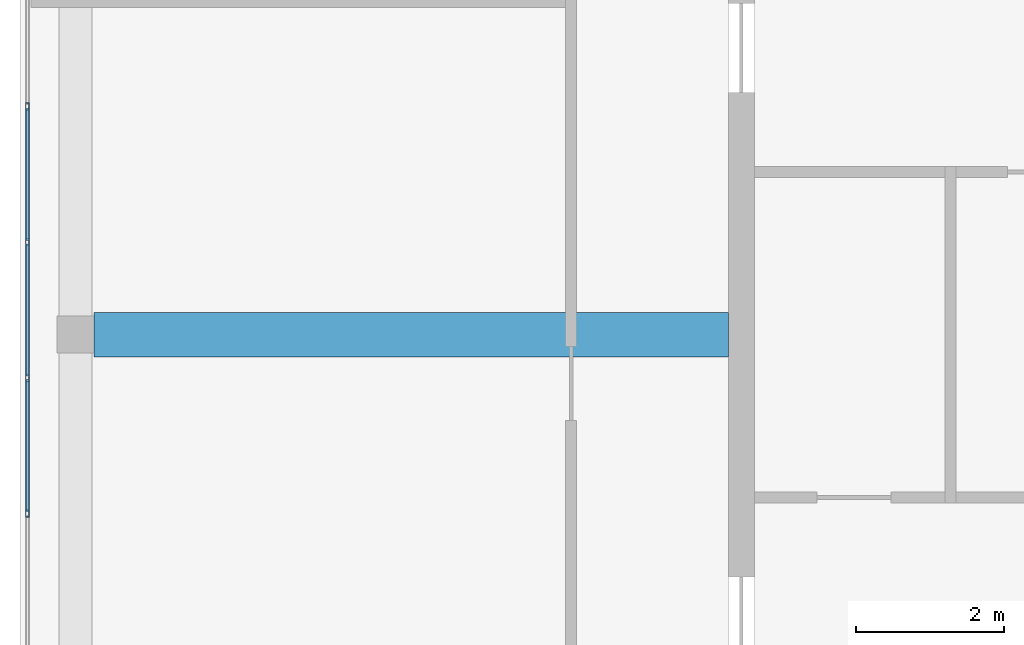
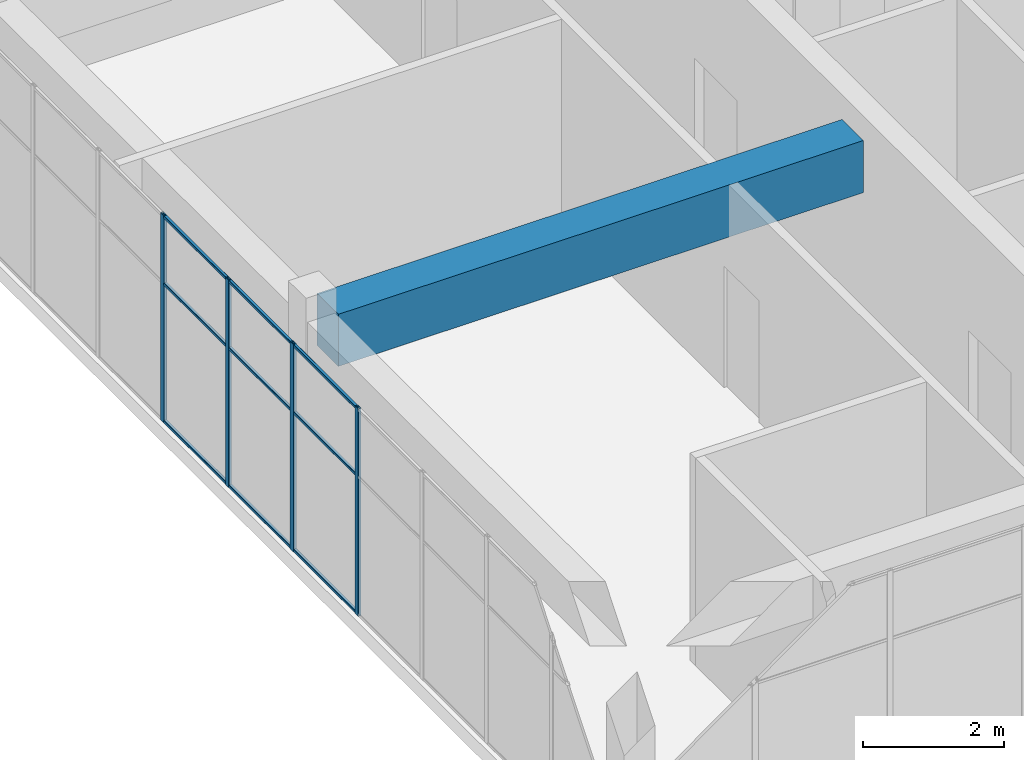
# One storey, part 11 of 36: 13 members, 1 beam, 1 element without a shape of its own.
"""IFC4 building model written with IfcOpenShell, lengths in metres."""

from ifc_helpers import new_model, si_unit, direction, frame, origin, origin_2d, place, context, subcontext, project, spatial, rectangle, hollow_rectangle, extrude, material, layer, layer_set, material_profile, profile_set, type_object, element, aggregate, save


model = new_model("IFC4")

# Units and contexts
model_context = context("Model", 3, precision=1e-05, world=origin(), true_north=direction((0.0, 1.0)))
body_context = subcontext(model_context, "Body", "Model", "MODEL_VIEW")
ifc_project = project(units=[si_unit("LENGTHUNIT", "METRE"), si_unit("AREAUNIT", "SQUARE_METRE"), si_unit("VOLUMEUNIT", "CUBIC_METRE"), si_unit("PLANEANGLEUNIT", "RADIAN"), si_unit("MASSUNIT", "GRAM", prefix="KILO")], contexts=[model_context])

# Site, building, storey
site_placement = place(None, origin())
site = spatial("IfcSite", under=ifc_project, at=site_placement, CompositionType="ELEMENT")
building_placement = place(site_placement, origin())
building = spatial("IfcBuilding", under=site, at=building_placement, Name="Tuart Plaza Theatre", CompositionType="ELEMENT")
storey_placement = place(building_placement, frame((0.0, 0.0, 61.5)))
storey = spatial("IfcBuildingStorey", under=building, at=storey_placement, Name="L15", CompositionType="ELEMENT", Elevation=61.5)

# Beam
ifc_material_1 = material(Name="Concrete N40 (40 MPa)", Category="concrete")
ifc_material_profile_1 = material_profile(ifc_material_1, rectangle(XDim=0.60009765625, YDim=0.89990234375, at=origin_2d()), Name="BEAM 600x900 Concrete N40 (40 MPa)")
ifc_profile_set_1 = profile_set([ifc_material_profile_1], Name="Concrete N40 (40 MPa)")
beam_type = type_object("IfcBeamType", Name="BEAM 600x900 Concrete N40 (40 MPa)", PredefinedType="BEAM", material=ifc_profile_set_1)
beam_placement = place(storey_placement, frame((114.25, 74.0, 3.1298828125), z_axis=(1.0, 0.0, 0.0), x_axis=(0.0, 1.0, 0.0)))
element("IfcBeam", 1, at=beam_placement, inside=storey, type_object=beam_type, Name="RB321", PredefinedType="BEAM", context=body_context, shape_type="SweptSolid", body=[
    extrude(rectangle(XDim=0.60009765625, YDim=0.89990234375, at=origin_2d()), origin(), (0.0, 0.0, 1.0), 8.574951171875),
])

# Curtain wall, members
ifc_material_2 = material(Name="Aluminium and glass", Category="aluminium")
ifc_layer = layer(ifc_material_2, 0.10009765625)
ifc_layer_set = layer_set([ifc_layer], Name="CURTAIN WALL 1800 module")
curtain_wall_type = type_object("IfcCurtainWallType", Name="CURTAIN WALL 1800 module", PredefinedType="NOTDEFINED", material=ifc_layer_set)
curtain_wall_placement = place(storey_placement, origin())
curtain_wall = element("IfcCurtainWall", 2, at=curtain_wall_placement, inside=storey, type_object=curtain_wall_type, Name="CW118", PredefinedType="NOTDEFINED")
ifc_material_3 = material(Name="Aluminium 6063-T5", Category="aluminium")
ifc_material_profile_2 = material_profile(ifc_material_3, hollow_rectangle(XDim=0.050048828125, YDim=0.10009765625, WallThickness=0.00390625, InnerFilletRadius=0.00390625, OuterFilletRadius=0.008056640625, at=origin_2d()), Name="RHS 100x50x4")
ifc_profile_set_2 = profile_set([ifc_material_profile_2], Name="Aluminium 6063-T5")
member_type_1 = type_object("IfcMemberType", Name="MULLION RHS 100x50x4", PredefinedType="MULLION", material=ifc_profile_set_2)
member_1_placement = place(storey_placement, frame((113.35009765625, 77.083251953125, 0.0), z_axis=(0.0, 0.0, 1.0), x_axis=(1.0, 0.0, 0.0)))
member_1 = element("IfcMember", 3, at=member_1_placement, type_object=member_type_1, Name="CW118 mullion 12", PredefinedType="MULLION", context=body_context, shape_type="SweptSolid", body=[
    extrude(hollow_rectangle(XDim=0.050048828125, YDim=0.10009765625, WallThickness=0.00390625, InnerFilletRadius=0.00390625, OuterFilletRadius=0.008056640625, at=origin_2d()), origin(), (0.0, 0.0, 1.0), 3.580078125),
])
member_2_placement = place(storey_placement, frame((113.35009765625, 75.25, 0.0), z_axis=(0.0, 0.0, 1.0), x_axis=(1.0, 0.0, 0.0)))
member_2 = element("IfcMember", 4, at=member_2_placement, type_object=member_type_1, Name="CW118 mullion 13", PredefinedType="MULLION", context=body_context, shape_type="SweptSolid", body=[
    extrude(hollow_rectangle(XDim=0.050048828125, YDim=0.10009765625, WallThickness=0.00390625, InnerFilletRadius=0.00390625, OuterFilletRadius=0.008056640625, at=origin_2d()), origin(), (0.0, 0.0, 1.0), 3.580078125),
])
member_3_placement = place(storey_placement, frame((113.35009765625, 73.416748046875, 0.0), z_axis=(0.0, 0.0, 1.0), x_axis=(1.0, 0.0, 0.0)))
member_3 = element("IfcMember", 5, at=member_3_placement, type_object=member_type_1, Name="CW118 mullion 14", PredefinedType="MULLION", context=body_context, shape_type="SweptSolid", body=[
    extrude(hollow_rectangle(XDim=0.050048828125, YDim=0.10009765625, WallThickness=0.00390625, InnerFilletRadius=0.00390625, OuterFilletRadius=0.008056640625, at=origin_2d()), origin(), (0.0, 0.0, 1.0), 3.580078125),
])
member_4_placement = place(storey_placement, frame((113.35009765625, 71.583251953125, 0.0), z_axis=(0.0, 0.0, 1.0), x_axis=(1.0, 0.0, 0.0)))
member_4 = element("IfcMember", 6, at=member_4_placement, type_object=member_type_1, Name="CW118 mullion 15", PredefinedType="MULLION", context=body_context, shape_type="SweptSolid", body=[
    extrude(hollow_rectangle(XDim=0.050048828125, YDim=0.10009765625, WallThickness=0.00390625, InnerFilletRadius=0.00390625, OuterFilletRadius=0.008056640625, at=origin_2d()), origin(), (0.0, 0.0, 1.0), 3.580078125),
])
ifc_material_4 = material(Name="Aluminium 6063-T5", Category="aluminium")
ifc_material_profile_3 = material_profile(ifc_material_4, hollow_rectangle(XDim=0.050048828125, YDim=0.050048828125, WallThickness=0.00390625, InnerFilletRadius=0.00390625, OuterFilletRadius=0.008056640625, at=origin_2d()), Name="RHS 50x50x4")
ifc_profile_set_3 = profile_set([ifc_material_profile_3], Name="Aluminium 6063-T5")
member_type_2 = type_object("IfcMemberType", Name="TRANSOM RHS 50x50x4", PredefinedType="USERDEFINED", material=ifc_profile_set_3)
member_5_placement = place(storey_placement, frame((113.35009765625, 77.058349609375, 0.02490234375), z_axis=(0.0, -1.0, 0.0), x_axis=(1.0, 0.0, 0.0)))
member_5 = element("IfcMember", 7, at=member_5_placement, type_object=member_type_2, Name="CW118 transom 12.1", ObjectType="TRANSOM", PredefinedType="USERDEFINED", context=body_context, shape_type="SweptSolid", body=[
    extrude(hollow_rectangle(XDim=0.050048828125, YDim=0.050048828125, WallThickness=0.00390625, InnerFilletRadius=0.00390625, OuterFilletRadius=0.008056640625, at=origin_2d()), origin(), (0.0, 0.0, 1.0), 1.783447265625),
])
member_6_placement = place(storey_placement, frame((113.35009765625, 77.058349609375, 2.39990234375), z_axis=(0.0, -1.0, 0.0), x_axis=(1.0, 0.0, 0.0)))
member_6 = element("IfcMember", 8, at=member_6_placement, type_object=member_type_2, Name="CW118 transom 12.2", ObjectType="TRANSOM", PredefinedType="USERDEFINED", context=body_context, shape_type="SweptSolid", body=[
    extrude(hollow_rectangle(XDim=0.050048828125, YDim=0.050048828125, WallThickness=0.00390625, InnerFilletRadius=0.00390625, OuterFilletRadius=0.008056640625, at=origin_2d()), origin(), (0.0, 0.0, 1.0), 1.783447265625),
])
member_7_placement = place(storey_placement, frame((113.35009765625, 77.058349609375, 3.554931640625), z_axis=(0.0, -1.0, 0.0), x_axis=(1.0, 0.0, 0.0)))
member_7 = element("IfcMember", 9, at=member_7_placement, type_object=member_type_2, Name="CW118 transom 12.3", ObjectType="TRANSOM", PredefinedType="USERDEFINED", context=body_context, shape_type="SweptSolid", body=[
    extrude(hollow_rectangle(XDim=0.050048828125, YDim=0.050048828125, WallThickness=0.00390625, InnerFilletRadius=0.00390625, OuterFilletRadius=0.008056640625, at=origin_2d()), origin(), (0.0, 0.0, 1.0), 1.783447265625),
])
member_8_placement = place(storey_placement, frame((113.35009765625, 75.22509765625, 0.02490234375), z_axis=(0.0, -1.0, 0.0), x_axis=(1.0, 0.0, 0.0)))
member_8 = element("IfcMember", 10, at=member_8_placement, type_object=member_type_2, Name="CW118 transom 13.1", ObjectType="TRANSOM", PredefinedType="USERDEFINED", context=body_context, shape_type="SweptSolid", body=[
    extrude(hollow_rectangle(XDim=0.050048828125, YDim=0.050048828125, WallThickness=0.00390625, InnerFilletRadius=0.00390625, OuterFilletRadius=0.008056640625, at=origin_2d()), origin(), (0.0, 0.0, 1.0), 1.783447265625),
])
member_9_placement = place(storey_placement, frame((113.35009765625, 75.22509765625, 2.39990234375), z_axis=(0.0, -1.0, 0.0), x_axis=(1.0, 0.0, 0.0)))
member_9 = element("IfcMember", 11, at=member_9_placement, type_object=member_type_2, Name="CW118 transom 13.2", ObjectType="TRANSOM", PredefinedType="USERDEFINED", context=body_context, shape_type="SweptSolid", body=[
    extrude(hollow_rectangle(XDim=0.050048828125, YDim=0.050048828125, WallThickness=0.00390625, InnerFilletRadius=0.00390625, OuterFilletRadius=0.008056640625, at=origin_2d()), origin(), (0.0, 0.0, 1.0), 1.783447265625),
])
member_10_placement = place(storey_placement, frame((113.35009765625, 75.22509765625, 3.554931640625), z_axis=(0.0, -1.0, 0.0), x_axis=(1.0, 0.0, 0.0)))
member_10 = element("IfcMember", 12, at=member_10_placement, type_object=member_type_2, Name="CW118 transom 13.3", ObjectType="TRANSOM", PredefinedType="USERDEFINED", context=body_context, shape_type="SweptSolid", body=[
    extrude(hollow_rectangle(XDim=0.050048828125, YDim=0.050048828125, WallThickness=0.00390625, InnerFilletRadius=0.00390625, OuterFilletRadius=0.008056640625, at=origin_2d()), origin(), (0.0, 0.0, 1.0), 1.783447265625),
])
member_11_placement = place(storey_placement, frame((113.35009765625, 73.3916015625, 0.02490234375), z_axis=(0.0, -1.0, 0.0), x_axis=(1.0, 0.0, 0.0)))
member_11 = element("IfcMember", 13, at=member_11_placement, type_object=member_type_2, Name="CW118 transom 14.1", ObjectType="TRANSOM", PredefinedType="USERDEFINED", context=body_context, shape_type="SweptSolid", body=[
    extrude(hollow_rectangle(XDim=0.050048828125, YDim=0.050048828125, WallThickness=0.00390625, InnerFilletRadius=0.00390625, OuterFilletRadius=0.008056640625, at=origin_2d()), origin(), (0.0, 0.0, 1.0), 1.783203125),
])
member_12_placement = place(storey_placement, frame((113.35009765625, 73.3916015625, 2.39990234375), z_axis=(0.0, -1.0, 0.0), x_axis=(1.0, 0.0, 0.0)))
member_12 = element("IfcMember", 14, at=member_12_placement, type_object=member_type_2, Name="CW118 transom 14.2", ObjectType="TRANSOM", PredefinedType="USERDEFINED", context=body_context, shape_type="SweptSolid", body=[
    extrude(hollow_rectangle(XDim=0.050048828125, YDim=0.050048828125, WallThickness=0.00390625, InnerFilletRadius=0.00390625, OuterFilletRadius=0.008056640625, at=origin_2d()), origin(), (0.0, 0.0, 1.0), 1.783203125),
])
member_13_placement = place(storey_placement, frame((113.35009765625, 73.3916015625, 3.554931640625), z_axis=(0.0, -1.0, 0.0), x_axis=(1.0, 0.0, 0.0)))
member_13 = element("IfcMember", 15, at=member_13_placement, type_object=member_type_2, Name="CW118 transom 14.3", ObjectType="TRANSOM", PredefinedType="USERDEFINED", context=body_context, shape_type="SweptSolid", body=[
    extrude(hollow_rectangle(XDim=0.050048828125, YDim=0.050048828125, WallThickness=0.00390625, InnerFilletRadius=0.00390625, OuterFilletRadius=0.008056640625, at=origin_2d()), origin(), (0.0, 0.0, 1.0), 1.783203125),
])
aggregate(curtain_wall, [member_1, member_2, member_3, member_4, member_5, member_6, member_7, member_8, member_9, member_10, member_11, member_12, member_13])

save(model, "model.ifc")
